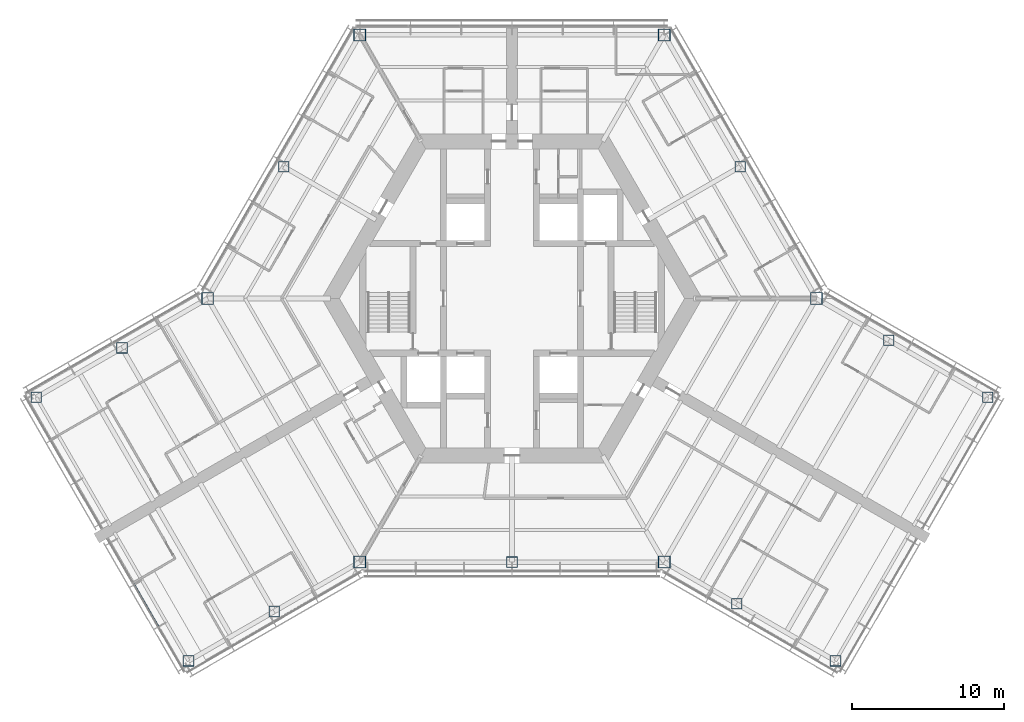
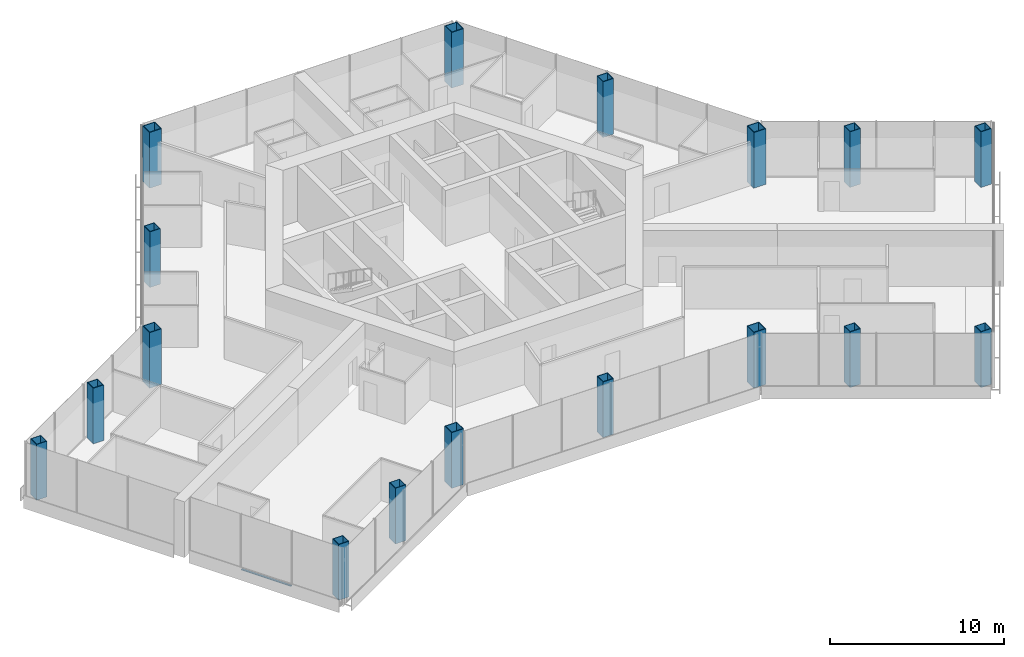
# One storey, part 1 of 18: 17 columns, 1 member, 1 element without a shape of its own.
"""IFC4 building model written with IfcOpenShell, lengths in metres."""

from ifc_helpers import new_model, si_unit, direction, frame, origin, origin_2d, place, context, subcontext, project, spatial, rectangle, hollow_rectangle, extrude, material, material_profile, profile_set, type_object, element, aggregate, save


model = new_model("IFC4")

# Units and contexts
model_context = context("Model", 3, precision=1e-05, world=origin(), true_north=direction((0.0, 1.0)))
body_context = subcontext(model_context, "Body", "Model", "MODEL_VIEW")
ifc_project = project(units=[si_unit("LENGTHUNIT", "METRE"), si_unit("AREAUNIT", "SQUARE_METRE"), si_unit("VOLUMEUNIT", "CUBIC_METRE"), si_unit("PLANEANGLEUNIT", "RADIAN"), si_unit("MASSUNIT", "GRAM", prefix="KILO")], contexts=[model_context])

# Site, building, storey
site_placement = place(None, origin())
site = spatial("IfcSite", under=ifc_project, at=site_placement, CompositionType="ELEMENT")
building_placement = place(site_placement, origin())
building = spatial("IfcBuilding", under=site, at=building_placement, Name="Kasaneha Research Tower", CompositionType="ELEMENT")
storey_placement = place(building_placement, frame((0.0, 0.0, 148.699951171875)))
storey = spatial("IfcBuildingStorey", under=building, at=storey_placement, Name="L37", CompositionType="ELEMENT", Elevation=148.699951171875)

# Columns
ifc_material_1 = material(Name="Steel SN490C", Category="steel")
ifc_material_profile_1 = material_profile(ifc_material_1, hollow_rectangle(XDim=0.800048828125, YDim=0.800048828125, WallThickness=0.044921875, at=origin_2d()), Name="BOX-800x800x45")
ifc_profile_set_1 = profile_set([ifc_material_profile_1], Name="Steel SN490C")
column_type_1 = type_object("IfcColumnType", Name="C3A column BOX-800x800x45", PredefinedType="COLUMN", material=ifc_profile_set_1)
for number, where, z_axis, x_axis, name in (
    (1, (20.0, 0.0, 0.0), (0.0, 0.0, 1.0), (1.0, 0.0, 0.0), "Column V0 L37"),
    (2, (10.0, 17.320556640625, 0.0), (0.0, 0.0, 1.0), (1.0, 0.0, 0.0), "Column V1 L37"),
    (3, (-10.0, 17.320556640625, 0.0), (0.0, 0.0, 1.0), (1.0, 0.0, 0.0), "Column V2 L37"),
    (4, (-20.0, 0.0, 0.0), (0.0, 0.0, 1.0), (1.0, 0.0, 0.0), "Column V3 L37"),
    (5, (-10.0, -17.320556640625, 0.0), (0.0, 0.0, 1.0), (1.0, 0.0, 0.0), "Column V4 L37"),
    (6, (10.0, -17.320556640625, 0.0), (0.0, 0.0, 1.0), (1.0, 0.0, 0.0), "Column V5 L37"),
):
    element("IfcColumn", number, at=place(storey_placement, frame(where, z_axis=z_axis, x_axis=x_axis)), inside=storey, type_object=column_type_1, Name=name, PredefinedType="COLUMN", context=body_context, shape_type="SweptSolid", body=[
        extrude(hollow_rectangle(XDim=0.800048828125, YDim=0.800048828125, WallThickness=0.044921875, at=origin_2d()), origin(), (0.0, 0.0, 1.0), 3.900146484375),
    ])
ifc_material_2 = material(Name="Steel SN490C", Category="steel")
ifc_material_profile_2 = material_profile(ifc_material_2, hollow_rectangle(XDim=0.699951171875, YDim=0.699951171875, WallThickness=0.035888671875, at=origin_2d()), Name="BOX-700x700x36")
ifc_profile_set_2 = profile_set([ifc_material_profile_2], Name="Steel SN490C")
column_type_2 = type_object("IfcColumnType", Name="C3B column BOX-700x700x36", PredefinedType="COLUMN", material=ifc_profile_set_2)
for number, where, z_axis, x_axis, name in (
    (7, (15.0, 8.66015625, 0.0), (0.0, 0.0, 1.0), (1.0, 0.0, 0.0), "Column M030 L37"),
    (8, (-15.0, 8.66015625, 0.0), (0.0, 0.0, 1.0), (1.0, 0.0, 0.0), "Column M150 L37"),
    (9, (0.0, -17.320556640625, 0.0), (0.0, 0.0, 1.0), (1.0, 0.0, 0.0), "Column M270 L37"),
    (10, (-25.629150390625, -3.25, 0.0), (0.0, 0.0, 1.0), (1.0, 0.0, 0.0), "Column BSP L37"),
    (11, (-31.25830078125, -6.5, 0.0), (0.0, 0.0, 1.0), (1.0, 0.0, 0.0), "Column BTP L37"),
    (12, (-15.629150390625, -20.570556640625, 0.0), (0.0, 0.0, 1.0), (1.0, 0.0, 0.0), "Column BSN L37"),
    (13, (-21.25830078125, -23.820556640625, 0.0), (0.0, 0.0, 1.0), (1.0, 0.0, 0.0), "Column BTN L37"),
    (14, (14.76318359375, -20.070556640625, 0.0), (0.0, 0.0, 1.0), (1.0, 0.0, 0.0), "Column CSP L37"),
    (15, (21.25830078125, -23.820556640625, 0.0), (0.0, 0.0, 1.0), (1.0, 0.0, 0.0), "Column CTP L37"),
    (16, (24.76318359375, -2.75, 0.0), (0.0, 0.0, 1.0), (1.0, 0.0, 0.0), "Column CSN L37"),
    (17, (31.25830078125, -6.5, 0.0), (0.0, 0.0, 1.0), (1.0, 0.0, 0.0), "Column CTN L37"),
):
    element("IfcColumn", number, at=place(storey_placement, frame(where, z_axis=z_axis, x_axis=x_axis)), inside=storey, type_object=column_type_2, Name=name, PredefinedType="COLUMN", context=body_context, shape_type="SweptSolid", body=[
        extrude(hollow_rectangle(XDim=0.699951171875, YDim=0.699951171875, WallThickness=0.035888671875, at=origin_2d()), origin(), (0.0, 0.0, 1.0), 3.900146484375),
    ])

# Curtain wall, member
ifc_material_3 = material(Name="Glass and aluminium", Category="aluminium")
curtain_wall_type = type_object("IfcCurtainWallType", Name="Mid-rise office curtain wall", PredefinedType="USERDEFINED", material=ifc_material_3)
curtain_wall_placement = place(storey_placement, origin())
curtain_wall = element("IfcCurtainWall", 18, at=curtain_wall_placement, inside=storey, type_object=curtain_wall_type, Name="CW-O2 L37 run 11a", ObjectType="UNITISED CURTAIN WALL", PredefinedType="USERDEFINED")
ifc_material_4 = material(Name="Aluminium 6063-T6", Category="aluminium")
ifc_material_profile_3 = material_profile(ifc_material_4, rectangle(XDim=0.110107421875, YDim=0.06005859375, at=origin_2d()), Name="CW-O2 transom 110x60")
ifc_profile_set_3 = profile_set([ifc_material_profile_3], Name="Aluminium 6063-T6")
member_type = type_object("IfcMemberType", Name="CW-O2 transom", PredefinedType="USERDEFINED", material=ifc_profile_set_3)
member_placement = place(storey_placement, frame((-24.896240234375, -18.719482421875, 0.030029296875), z_axis=(0.500010745865, -0.866019199568, 0.0), x_axis=(0.866019199568, 0.500010745865, 0.0)))
member = element("IfcMember", 19, at=member_placement, type_object=member_type, Name="CW-O2 transom 2", ObjectType="TRANSOM", PredefinedType="USERDEFINED", context=body_context, shape_type="SweptSolid", body=[
    extrude(rectangle(XDim=0.110107421875, YDim=0.06005859375, at=origin_2d()), origin(), (0.0, 0.0, 1.0), 3.3232421875),
])
aggregate(curtain_wall, [member])

save(model, "model.ifc")
